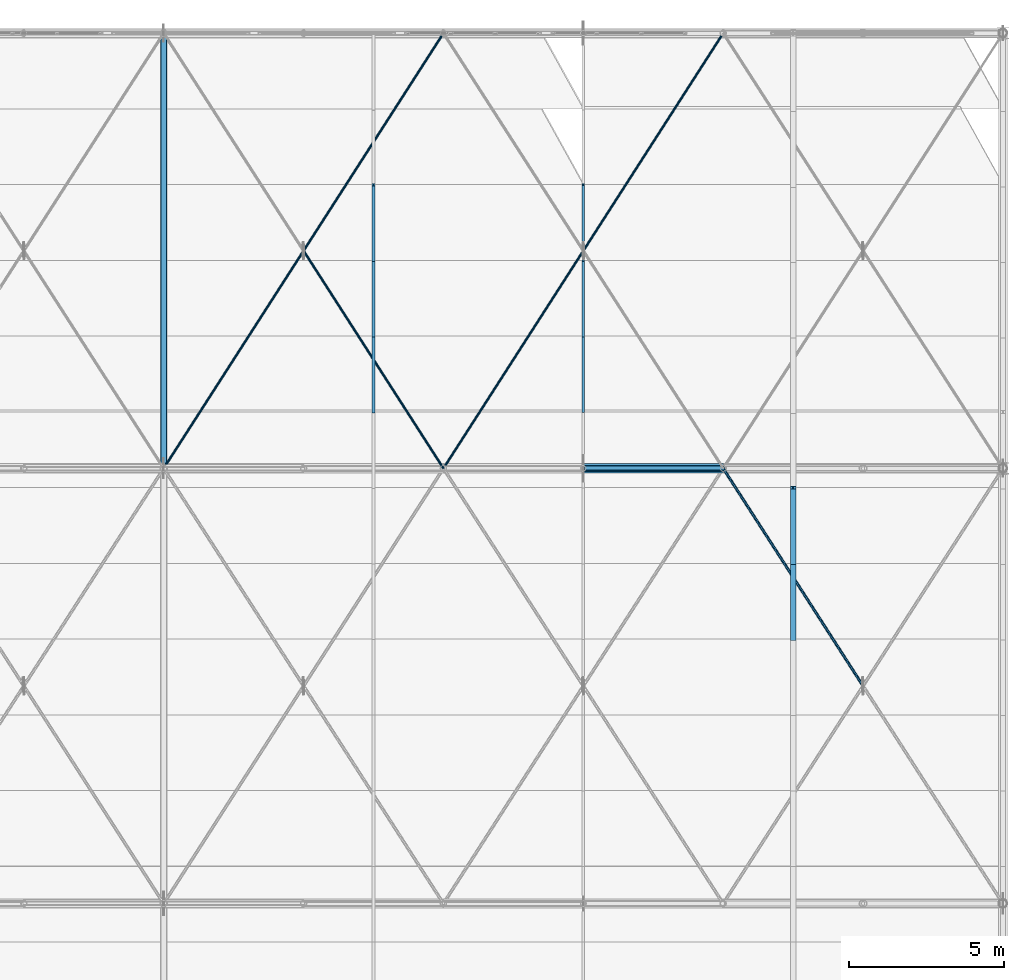
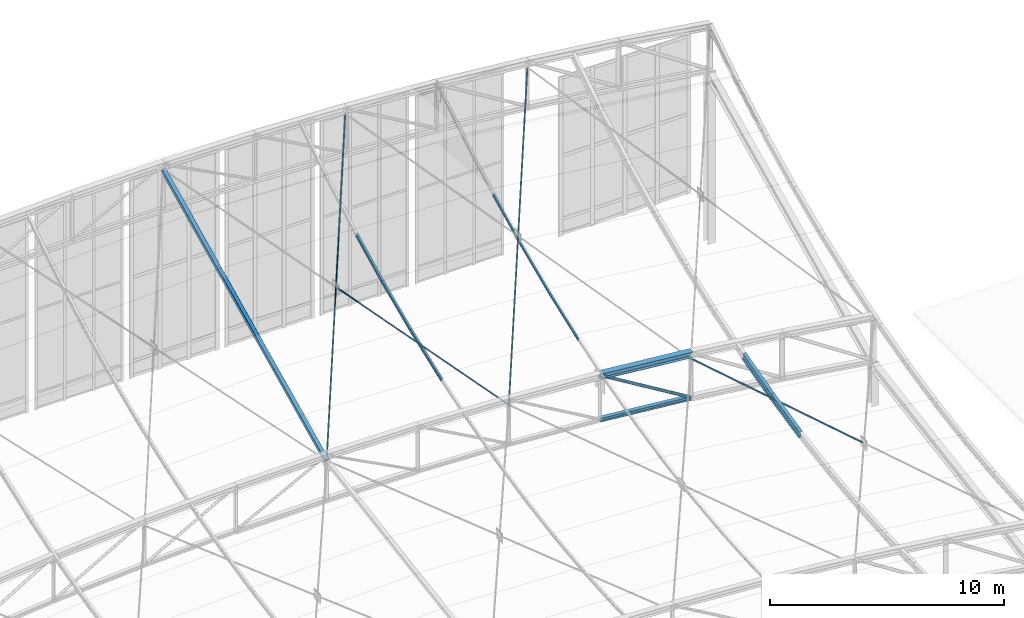
# One storey, part 183 of 262: 16 members.
"""IFC4 building model written with IfcOpenShell, lengths in metres."""

from ifc_helpers import new_model, si_unit, derived_unit, direction, frame, origin, origin_2d, place, context, subcontext, project, spatial, hollow_rectangle, hollow_circle, i_section, extrude, material, material_profile, profile_set, type_object, element, save


model = new_model("IFC4")

# Units and contexts
model_context = context("Model", 3, precision=1e-05, world=origin(), true_north=direction((0.0, 1.0)))
body_context = subcontext(model_context, "Body", "Model", "MODEL_VIEW")
ifc_project = project(units=[si_unit("LENGTHUNIT", "METRE"), si_unit("AREAUNIT", "SQUARE_METRE"), si_unit("VOLUMEUNIT", "CUBIC_METRE"), si_unit("PLANEANGLEUNIT", "RADIAN"), si_unit("MASSUNIT", "GRAM", prefix="KILO"), derived_unit("THERMALTRANSMITTANCEUNIT", [(si_unit("POWERUNIT", "WATT"), 1), (si_unit("LENGTHUNIT", "METRE"), -2), (si_unit("THERMODYNAMICTEMPERATUREUNIT", "KELVIN"), -1)])], contexts=[model_context])

# Site, building, storey
site_placement = place(None, origin())
site = spatial("IfcSite", under=ifc_project, at=site_placement, CompositionType="ELEMENT")
building_placement = place(site_placement, origin())
building = spatial("IfcBuilding", under=site, at=building_placement, Name="Almenara Railside Exhibition Hall", CompositionType="ELEMENT")
storey_placement = place(building_placement, frame((0.0, 0.0, 21.699951171875)))
storey = spatial("IfcBuildingStorey", under=building, at=storey_placement, Name="RF", CompositionType="ELEMENT", Elevation=21.699951171875)

# Members
ifc_material = material(Name="Structural steel S355JR", Category="steel")
ifc_material_profile_1 = material_profile(ifc_material, i_section(OverallWidth=0.300048828125, OverallDepth=0.300048828125, WebThickness=0.010986328125, FlangeThickness=0.01904296875, FilletRadius=0.027099609375, at=origin_2d()), Name="HEB 300")
ifc_profile_set_1 = profile_set([ifc_material_profile_1], Name="Structural steel S355JR")
member_type_1 = type_object("IfcMemberType", Name="Arched Inner Top Chord HEB 300 S355JR", PredefinedType="CHORD", material=ifc_profile_set_1)
member_1_placement = place(storey_placement, frame((178.5, 118.0, -3.366455078125), z_axis=(0.995512933083, 0.0, -0.094625578275), x_axis=(0.0, 1.0, 0.0)))
element("IfcMember", 1, at=member_1_placement, inside=storey, type_object=member_type_1, Name="MEM-TC-V2-06-09", PredefinedType="CHORD", context=body_context, shape_type="SweptSolid", body=[
    extrude(i_section(OverallWidth=0.300048828125, OverallDepth=0.300048828125, WebThickness=0.010986328125, FlangeThickness=0.01904296875, FilletRadius=0.027099609375, at=origin_2d()), origin(), (0.0, 0.0, 1.0), 4.520263671875),
])
ifc_material_profile_2 = material_profile(ifc_material, i_section(OverallWidth=0.199951171875, OverallDepth=0.199951171875, WebThickness=0.009033203125, FlangeThickness=0.014892578125, FilletRadius=0.01806640625, at=origin_2d()), Name="HEB 200")
ifc_profile_set_2 = profile_set([ifc_material_profile_2], Name="Structural steel S355JR")
member_type_2 = type_object("IfcMemberType", Name="Canopy Collar Chord HEB 200 S355JR", PredefinedType="CHORD", material=ifc_profile_set_2)
member_2_placement = place(storey_placement, frame((178.5, 118.0, -5.66650390625), z_axis=(0.995512933083, 0.0, -0.094625578275), x_axis=(0.0, 1.0, 0.0)))
element("IfcMember", 2, at=member_2_placement, inside=storey, type_object=member_type_2, Name="MEM-BC-V2-06-09", PredefinedType="CHORD", context=body_context, shape_type="SweptSolid", body=[
    extrude(i_section(OverallWidth=0.199951171875, OverallDepth=0.199951171875, WebThickness=0.009033203125, FlangeThickness=0.014892578125, FilletRadius=0.01806640625, at=origin_2d()), origin(), (0.0, 0.0, 1.0), 4.520263671875),
])
ifc_material_profile_3 = material_profile(ifc_material, i_section(OverallWidth=0.072998046875, OverallDepth=0.139892578125, WebThickness=0.004638671875, FlangeThickness=0.0068359375, FilletRadius=0.007080078125, at=origin_2d()), Name="IPE 140")
ifc_profile_set_3 = profile_set([ifc_material_profile_3], Name="Structural steel S355JR")
member_type_3 = type_object("IfcMemberType", Name="Canopy Edge Purlin IPE 140 S355JR", PredefinedType="PURLIN", material=ifc_profile_set_3)
member_3_placement = place(storey_placement, frame((178.5, 119.81640625, -2.621826171875), z_axis=(0.0, 0.936171044044, 0.351544842508), x_axis=(-1.0, 0.0, 0.0)))
element("IfcMember", 3, at=member_3_placement, inside=storey, type_object=member_type_3, Name="MEM-PR-V2-PR-IPE140-06-23", PredefinedType="PURLIN", context=body_context, shape_type="SweptSolid", body=[
    extrude(i_section(OverallWidth=0.072998046875, OverallDepth=0.139892578125, WebThickness=0.004638671875, FlangeThickness=0.0068359375, FilletRadius=0.007080078125, at=origin_2d()), origin(), (0.0, 0.0, 1.0), 2.60302734375),
])
member_4_placement = place(storey_placement, frame((178.5, 122.253173828125, -1.712646484375), z_axis=(0.0, 0.917189812532, 0.398450558775), x_axis=(-1.0, 0.0, 0.0)))
element("IfcMember", 4, at=member_4_placement, inside=storey, type_object=member_type_3, Name="MEM-PR-V2-PR-IPE140-06-24", PredefinedType="PURLIN", context=body_context, shape_type="SweptSolid", body=[
    extrude(i_section(OverallWidth=0.072998046875, OverallDepth=0.139892578125, WebThickness=0.004638671875, FlangeThickness=0.0068359375, FilletRadius=0.007080078125, at=origin_2d()), origin(), (0.0, 0.0, 1.0), 2.65673828125),
])
member_5_placement = place(storey_placement, frame((178.5, 124.68994140625, -0.6611328125), z_axis=(0.0, 0.895376074457, 0.445310773831), x_axis=(-1.0, 0.0, 0.0)))
element("IfcMember", 5, at=member_5_placement, inside=storey, type_object=member_type_3, Name="MEM-PR-V2-PR-IPE140-06-25", PredefinedType="PURLIN", context=body_context, shape_type="SweptSolid", body=[
    extrude(i_section(OverallWidth=0.072998046875, OverallDepth=0.139892578125, WebThickness=0.004638671875, FlangeThickness=0.0068359375, FilletRadius=0.007080078125, at=origin_2d()), origin(), (0.0, 0.0, 1.0), 2.721435546875),
])
ifc_material_profile_4 = material_profile(ifc_material, hollow_circle(Radius=0.04443359375, WallThickness=0.00390625, at=origin_2d()), Name="CHS 88.9x4")
ifc_profile_set_4 = profile_set([ifc_material_profile_4], Name="Structural steel S355JR")
member_type_4 = type_object("IfcMemberType", Name="Canopy Tie Brace CHS 88.9x4 S355JR", PredefinedType="BRACE", material=ifc_profile_set_4)
member_6_placement = place(storey_placement, frame((187.474365234375, 111.039794921875, -5.809814453125), z_axis=(-0.529235796348, 0.823265309002, 0.205289315013), x_axis=(-0.841181351383, -0.5407531175, 0.0)))
element("IfcMember", 6, at=member_6_placement, inside=storey, type_object=member_type_4, Name="MEM-WB-V2-WB-CHS89-05-10-S2", PredefinedType="BRACE", context=body_context, shape_type="SweptSolid", body=[
    extrude(hollow_circle(Radius=0.04443359375, WallThickness=0.00390625, at=origin_2d()), origin(), (0.0, 0.0, 1.0), 8.454345703125),
])
ifc_material_profile_5 = material_profile(ifc_material, hollow_rectangle(XDim=0.199951171875, YDim=0.199951171875, WallThickness=0.008056640625, InnerFilletRadius=0.008056640625, OuterFilletRadius=0.01611328125, at=origin_2d()), Name="SHS 200x200x8")
ifc_profile_set_5 = profile_set([ifc_material_profile_5], Name="Structural steel S355JR")
member_type_5 = type_object("IfcMemberType", Name="Eaves Sway Strut SHS 200x200x8 S355JR", PredefinedType="BRACE", material=ifc_profile_set_5)
member_7_placement = place(storey_placement, frame((165.0, 118.0, -3.096435546875), z_axis=(0.0, 0.901609647844, 0.432550624683), x_axis=(-1.0, 0.0, 0.0)))
element("IfcMember", 7, at=member_7_placement, inside=storey, type_object=member_type_5, Name="MEM-ES-V2-06", PredefinedType="BRACE", context=body_context, shape_type="SweptSolid", body=[
    extrude(hollow_rectangle(XDim=0.199951171875, YDim=0.199951171875, WallThickness=0.008056640625, InnerFilletRadius=0.008056640625, OuterFilletRadius=0.01611328125, at=origin_2d()), origin(), (0.0, 0.0, 1.0), 15.52783203125),
])
ifc_material_profile_6 = material_profile(ifc_material, hollow_circle(Radius=0.0380859375, WallThickness=0.003662109375, at=origin_2d()), Name="CHS 76.1x3.6")
ifc_profile_set_6 = profile_set([ifc_material_profile_6], Name="Structural steel S355JR")
member_type_6 = type_object("IfcMemberType", Name="Lantern Cross-Tie Brace CHS 76.1x3.6 S355JR", PredefinedType="BRACE", material=ifc_profile_set_6)
member_8_placement = place(storey_placement, frame((165.0, 118.0, -3.096435546875), z_axis=(0.503990985455, 0.783985977374, 0.362434923622), x_axis=(-0.841178475377, 0.540757591313, 0.0)))
element("IfcMember", 8, at=member_8_placement, inside=storey, type_object=member_type_6, Name="MEM-WB-V2-WB-CHS76-06-06-C", PredefinedType="BRACE", context=body_context, shape_type="SweptSolid", body=[
    extrude(hollow_circle(Radius=0.0380859375, WallThickness=0.003662109375, at=origin_2d()), origin(), (0.0, 0.0, 1.0), 17.857421875),
])
member_9_placement = place(storey_placement, frame((174.0, 118.0, -3.3408203125), z_axis=(-0.498880989968, 0.776031052638, 0.385867287018), x_axis=(-0.841176559985, -0.5407605708, 0.0)))
element("IfcMember", 9, at=member_9_placement, inside=storey, type_object=member_type_6, Name="MEM-WB-V2-WB-CHS76-06-06-S1", PredefinedType="BRACE", context=body_context, shape_type="SweptSolid", body=[
    extrude(hollow_circle(Radius=0.0380859375, WallThickness=0.003662109375, at=origin_2d()), origin(), (0.0, 0.0, 1.0), 8.97802734375),
])
member_10_placement = place(storey_placement, frame((174.0, 118.0, -3.3408203125), z_axis=(0.508874198911, 0.791582087194, 0.338296983309), x_axis=(-0.841178475377, 0.540757591313, 0.0)))
element("IfcMember", 10, at=member_10_placement, inside=storey, type_object=member_type_6, Name="MEM-WB-V2-WB-CHS76-06-08-C", PredefinedType="BRACE", context=body_context, shape_type="SweptSolid", body=[
    extrude(hollow_circle(Radius=0.0380859375, WallThickness=0.003662109375, at=origin_2d()), origin(), (0.0, 0.0, 1.0), 17.68603515625),
])
ifc_material_profile_7 = material_profile(ifc_material, i_section(OverallWidth=0.169921875, OverallDepth=0.360107421875, WebThickness=0.008056640625, FlangeThickness=0.0126953125, FilletRadius=0.01806640625, at=origin_2d()), Name="IPE 360")
ifc_profile_set_7 = profile_set([ifc_material_profile_7], Name="Structural steel S355JR")
member_type_7 = type_object("IfcMemberType", Name="Long-Span Scroll Purlin IPE 360 S355JR", PredefinedType="PURLIN", material=ifc_profile_set_7)
member_11_placement = place(storey_placement, frame((185.25, 112.50634765625, -5.5087890625), z_axis=(0.0, 0.977496103583, 0.210953472309), x_axis=(-1.0, 0.0, 0.0)))
element("IfcMember", 11, at=member_11_placement, inside=storey, type_object=member_type_7, Name="MEM-PR-V2-PR-IPE360-07-20", PredefinedType="PURLIN", context=body_context, shape_type="SweptSolid", body=[
    extrude(i_section(OverallWidth=0.169921875, OverallDepth=0.360107421875, WebThickness=0.008056640625, FlangeThickness=0.0126953125, FilletRadius=0.01806640625, at=origin_2d()), origin(), (0.0, 0.0, 1.0), 2.492919921875),
])
member_12_placement = place(storey_placement, frame((185.25, 114.943115234375, -4.9873046875), z_axis=(0.0, 0.966201190487, 0.257789176462), x_axis=(-1.0, 0.0, 0.0)))
element("IfcMember", 12, at=member_12_placement, inside=storey, type_object=member_type_7, Name="MEM-PR-V2-PR-IPE360-07-21", PredefinedType="PURLIN", context=body_context, shape_type="SweptSolid", body=[
    extrude(i_section(OverallWidth=0.169921875, OverallDepth=0.360107421875, WebThickness=0.008056640625, FlangeThickness=0.0126953125, FilletRadius=0.01806640625, at=origin_2d()), origin(), (0.0, 0.0, 1.0), 2.52197265625),
])
ifc_material_profile_8 = material_profile(ifc_material, i_section(OverallWidth=0.091064453125, OverallDepth=0.179931640625, WebThickness=0.00537109375, FlangeThickness=0.008056640625, FilletRadius=0.009033203125, at=origin_2d()), Name="IPE 180")
ifc_profile_set_8 = profile_set([ifc_material_profile_8], Name="Structural steel S355JR")
member_type_8 = type_object("IfcMemberType", Name="Plenary Roof Purlin IPE 180 S355JR", PredefinedType="PURLIN", material=ifc_profile_set_8)
member_13_placement = place(storey_placement, frame((171.75, 119.81640625, -2.36669921875), z_axis=(0.0, 0.936171044044, 0.351544842508), x_axis=(-1.0, 0.0, 0.0)))
element("IfcMember", 13, at=member_13_placement, inside=storey, type_object=member_type_8, Name="MEM-PR-V2-PR-IPE180-05-23", PredefinedType="PURLIN", context=body_context, shape_type="SweptSolid", body=[
    extrude(i_section(OverallWidth=0.091064453125, OverallDepth=0.179931640625, WebThickness=0.00537109375, FlangeThickness=0.008056640625, FilletRadius=0.009033203125, at=origin_2d()), origin(), (0.0, 0.0, 1.0), 2.60302734375),
])
member_14_placement = place(storey_placement, frame((171.75, 122.253173828125, -1.4580078125), z_axis=(0.0, 0.917189812532, 0.398450558775), x_axis=(-1.0, 0.0, 0.0)))
element("IfcMember", 14, at=member_14_placement, inside=storey, type_object=member_type_8, Name="MEM-PR-V2-PR-IPE180-05-24", PredefinedType="PURLIN", context=body_context, shape_type="SweptSolid", body=[
    extrude(i_section(OverallWidth=0.091064453125, OverallDepth=0.179931640625, WebThickness=0.00537109375, FlangeThickness=0.008056640625, FilletRadius=0.009033203125, at=origin_2d()), origin(), (0.0, 0.0, 1.0), 2.65673828125),
])
member_15_placement = place(storey_placement, frame((171.75, 124.68994140625, -0.406982421875), z_axis=(0.0, 0.895376074457, 0.445310773831), x_axis=(-1.0, 0.0, 0.0)))
element("IfcMember", 15, at=member_15_placement, inside=storey, type_object=member_type_8, Name="MEM-PR-V2-PR-IPE180-05-25", PredefinedType="PURLIN", context=body_context, shape_type="SweptSolid", body=[
    extrude(i_section(OverallWidth=0.091064453125, OverallDepth=0.179931640625, WebThickness=0.00537109375, FlangeThickness=0.008056640625, FilletRadius=0.009033203125, at=origin_2d()), origin(), (0.0, 0.0, 1.0), 2.721435546875),
])
ifc_material_profile_9 = material_profile(ifc_material, hollow_circle(Radius=0.076171875, WallThickness=0.0048828125, at=origin_2d()), Name="CHS 152.4x5")
ifc_profile_set_9 = profile_set([ifc_material_profile_9], Name="Structural steel S355JR")
member_type_9 = type_object("IfcMemberType", Name="Truss Mid Diagonal CHS 152.4x5 S355JR", PredefinedType="BRACE", material=ifc_profile_set_9)
member_16_placement = place(storey_placement, frame((178.5, 118.0, -3.366455078125), z_axis=(0.855154829777, 0.0, -0.518372662386), x_axis=(0.0, 1.0, 0.0)))
element("IfcMember", 16, at=member_16_placement, inside=storey, type_object=member_type_9, Name="MEM-TD-V2-06-09", PredefinedType="BRACE", context=body_context, shape_type="SweptSolid", body=[
    extrude(hollow_circle(Radius=0.076171875, WallThickness=0.0048828125, at=origin_2d()), origin(), (0.0, 0.0, 1.0), 5.26220703125),
])

save(model, "model.ifc")
